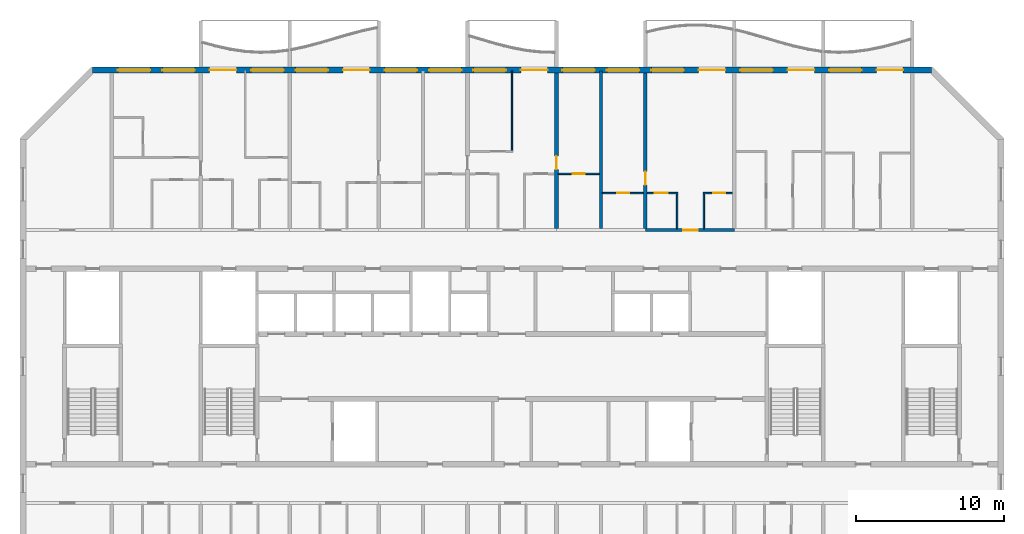
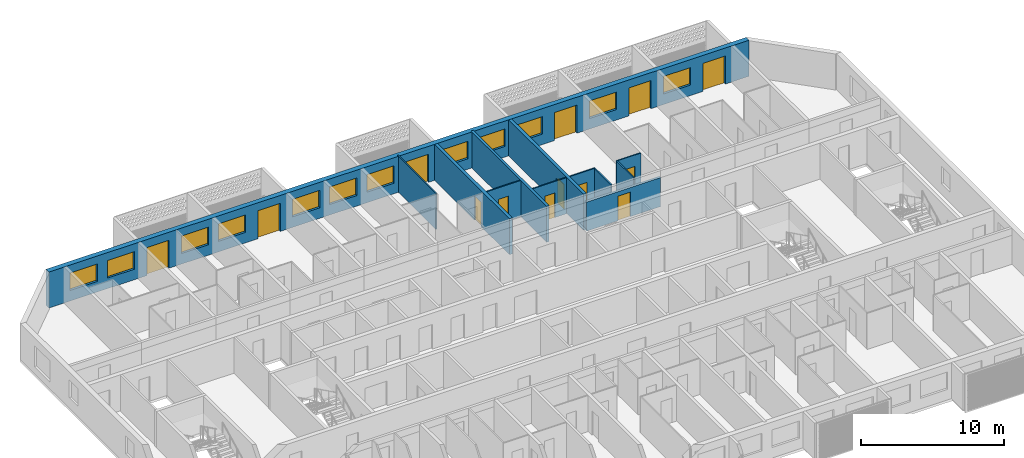
# One storey, part 9 of 26: 13 doors, 12 walls, 12 windows, 25 openings.
"""IFC4 building model written with IfcOpenShell, lengths in metres."""

import ifcopenshell
import ifcopenshell.guid

model = None  # the IFC model being written
_history = None  # IfcOwnerHistory: only IFC2X3 demands one
_inside = {}  # id of a spatial element -> (the spatial element, [elements in it])
_under = {}  # id of a project, library or spatial element -> (it, [spatial elements below it])
_declared = {}  # id of a project -> (the project, [libraries it declares])
_typed = {}  # id of a type object -> (the type object, [elements of that type])
_made_of = {}  # id of a material, layer set ... -> (it, [elements and type objects made of it])


def new_model(schema):
    """Start an empty IFC model of exactly this schema.

    Asked for "IFC4X3", IfcOpenShell would pick the latest addendum, in which some entities
    have other attributes; the version numbers below select the first issue.
    IFC2X3 requires an IfcOwnerHistory on every rooted entity: one is made here for all.
    """
    global model, _history
    if schema == "IFC4X3":
        model = ifcopenshell.file(schema_version=(4, 3, 0, 0))
    else:
        model = ifcopenshell.file(schema=schema)
    _inside.clear()
    _under.clear()
    _declared.clear()
    _typed.clear()
    _made_of.clear()
    _history = None
    if model.schema == "IFC2X3":
        org = make("IfcOrganization", Name="unknown")
        user = make(
            "IfcPersonAndOrganization",
            ThePerson=make("IfcPerson", FamilyName="unknown"),
            TheOrganization=org,
        )
        app = make(
            "IfcApplication",
            ApplicationDeveloper=org,
            Version="unknown",
            ApplicationFullName="unknown",
            ApplicationIdentifier="unknown",
        )
        _history = make(
            "IfcOwnerHistory",
            OwningUser=user,
            OwningApplication=app,
            ChangeAction="ADDED",
            CreationDate=0,
        )
    return model


def make(cls, **values):
    """One entity of the class cls with the attributes given. An attribute that is None is left unset."""
    return model.create_entity(
        cls, **{name: value for name, value in values.items() if value is not None}
    )


def rooted(cls, **values):
    """An entity with a GlobalId (a new one), such as an element, a storey or a relation."""
    return make(cls, GlobalId=ifcopenshell.guid.new(), OwnerHistory=_history, **values)


def si_unit(unit_type, name, prefix=None):
    """IfcSIUnit, for example si_unit("LENGTHUNIT", "METRE", prefix="MILLI")."""
    return make("IfcSIUnit", UnitType=unit_type, Prefix=prefix, Name=name)


def assignment(units):
    """IfcUnitAssignment: the units of a project."""
    return None if units is None else make("IfcUnitAssignment", Units=units)


def point(xyz):
    """IfcCartesianPoint."""
    return None if xyz is None else make("IfcCartesianPoint", Coordinates=xyz)


def direction(xyz):
    """IfcDirection."""
    return None if xyz is None else make("IfcDirection", DirectionRatios=xyz)


def frame(location, z_axis=None, x_axis=None):
    """IfcAxis2Placement3D, a coordinate frame: its origin and axes. An axis left out is left unset."""
    return make(
        "IfcAxis2Placement3D",
        Location=point(location),
        Axis=direction(z_axis),
        RefDirection=direction(x_axis),
    )


def frame_2d(location, x_axis=None):
    """IfcAxis2Placement2D, a coordinate frame in the plane: its origin and x axis."""
    return make(
        "IfcAxis2Placement2D", Location=point(location), RefDirection=direction(x_axis)
    )


def origin():
    """The frame at (0, 0, 0) with its axes left unset."""
    return frame((0.0, 0.0, 0.0))


def place(relative_to, where):
    """IfcLocalPlacement: puts the frame where relative to a parent placement (None: the world)."""
    return make(
        "IfcLocalPlacement", PlacementRelTo=relative_to, RelativePlacement=where
    )


def context(
    kind, dimensions, precision=None, world=None, true_north=None, identifier=None
):
    """IfcGeometricRepresentationContext, for example the 3D "Model" context."""
    return make(
        "IfcGeometricRepresentationContext",
        ContextIdentifier=identifier,
        ContextType=kind,
        CoordinateSpaceDimension=dimensions,
        Precision=precision,
        WorldCoordinateSystem=world,
        TrueNorth=true_north,
    )


def subcontext(parent, identifier, kind, view, scale=None):
    """IfcGeometricRepresentationSubContext, for example "Body" below "Model"."""
    return make(
        "IfcGeometricRepresentationSubContext",
        ContextIdentifier=identifier,
        ContextType=kind,
        ParentContext=parent,
        TargetScale=scale,
        TargetView=view,
    )


def project(units=None, contexts=None):
    """IfcProject with its units and contexts."""
    return rooted(
        "IfcProject",
        Name="project",
        RepresentationContexts=contexts,
        UnitsInContext=assignment(units),
    )


def spatial(cls, under=None, at=None, **own):
    """A site, building, storey or space (cls), placed at a placement, below another one or the project."""
    s = rooted(cls, ObjectPlacement=at, **own)
    if under is not None:
        _under.setdefault(under.id(), (under, []))[1].append(s)
    return s


def profile(cls, at=None, kind="AREA", **sizes):
    """A parametric profile (cls). Its sizes go by their IFC names, for example OverallWidth=200.0."""
    return make(cls, ProfileType=kind, Position=at, **sizes)


def rectangle(**sizes):
    """IfcRectangleProfileDef."""
    return profile("IfcRectangleProfileDef", **sizes)


def extrude(swept, where, along, depth):
    """IfcExtrudedAreaSolid: the profile swept, set in the frame where, extruded along a direction by depth."""
    return make(
        "IfcExtrudedAreaSolid",
        SweptArea=swept,
        Position=where,
        ExtrudedDirection=direction(along),
        Depth=depth,
    )


def shape(context_of_items, identifier, shape_type, items):
    """IfcShapeRepresentation: the items that make up one representation, for example the "Body"."""
    return make(
        "IfcShapeRepresentation",
        ContextOfItems=context_of_items,
        RepresentationIdentifier=identifier,
        RepresentationType=shape_type,
        Items=items,
    )


def material(Name=None, Category=None):
    """IfcMaterial."""
    return make("IfcMaterial", Name=Name, Category=Category)


def layer(
    of_material, thickness, ventilated=None, Name=None, Category=None, Priority=None
):
    """IfcMaterialLayer: one layer of a wall or slab, of a material (None: an air gap)."""
    return make(
        "IfcMaterialLayer",
        Material=of_material,
        LayerThickness=thickness,
        IsVentilated=ventilated,
        Name=Name,
        Category=Category,
        Priority=Priority,
    )


def layer_set(layers, Name=None):
    """IfcMaterialLayerSet."""
    return make("IfcMaterialLayerSet", MaterialLayers=layers, LayerSetName=Name)


def made_of(thing, what):
    """Note that an element or type object is made of a material, layer set ...; save() writes the relation."""
    if what is not None:
        _made_of.setdefault(what.id(), (what, []))[1].append(thing)
    return thing


def type_object(cls, material=None, **own):
    """A type object (cls), such as IfcWallType, which elements share."""
    return made_of(rooted(cls, **own), material)


def element(
    cls,
    number,
    at=None,
    inside=None,
    cuts=None,
    type_object=None,
    material=None,
    context=None,
    identifier="Body",
    shape_type=None,
    held_by="IfcProductDefinitionShape",
    body=None,
    shapes=None,
    **own,
):
    """One element of the class cls, such as IfcWall. Its Tag is "e" and its number.

    at: its placement. inside: the storey or other place that contains it. cuts: it is an
    opening in that element (IfcRelVoidsElement). A single representation is given by context,
    identifier, shape_type and body (its items); several are given by shapes. held_by: the class
    of the entity that holds the representations. save() writes the other relations.
    """
    e = rooted(cls, Tag="e%d" % number, ObjectPlacement=at, **own)
    if body is not None:
        shapes = [shape(context, identifier, shape_type, body)]
    if shapes is not None:
        e.Representation = make(held_by, Representations=shapes)
    if inside is not None:
        _inside.setdefault(inside.id(), (inside, []))[1].append(e)
    if cuts is not None:
        rooted(
            "IfcRelVoidsElement", RelatingBuildingElement=cuts, RelatedOpeningElement=e
        )
    if type_object is not None:
        _typed.setdefault(type_object.id(), (type_object, []))[1].append(e)
    return made_of(e, material)


def fill(opening, filler):
    """IfcRelFillsElement: the door or window that sits in an opening."""
    return rooted(
        "IfcRelFillsElement",
        RelatingOpeningElement=opening,
        RelatedBuildingElement=filler,
    )


def aggregate(whole, parts):
    """IfcRelAggregates: a whole, such as a stair, and the parts it consists of."""
    return rooted("IfcRelAggregates", RelatingObject=whole, RelatedObjects=parts)


def save(model, path):
    """Write the relations noted so far, then the file.

    IfcRelAggregates (storeys below a building ...), IfcRelContainedInSpatialStructure (elements
    in a storey), IfcRelDefinesByType, IfcRelAssociatesMaterial and IfcRelDeclares: one each for
    every whole, place, type object, material and project.
    """
    for whole, parts in _under.values():
        aggregate(whole, parts)
    for where, things in _inside.values():
        rooted(
            "IfcRelContainedInSpatialStructure",
            RelatedElements=things,
            RelatingStructure=where,
        )
    for kind, things in _typed.values():
        rooted("IfcRelDefinesByType", RelatedObjects=things, RelatingType=kind)
    for what, things in _made_of.values():
        rooted("IfcRelAssociatesMaterial", RelatedObjects=things, RelatingMaterial=what)
    for by, libraries in _declared.values():
        rooted("IfcRelDeclares", RelatingContext=by, RelatedDefinitions=libraries)
    model.write(path)


model = new_model("IFC4")

# Units and contexts
model_context = context("Model", 3, precision=1e-05, world=origin(), true_north=direction((0.0, 1.0)))
body_context = subcontext(model_context, "Body", "Model", "MODEL_VIEW")
ifc_project = project(units=[si_unit("LENGTHUNIT", "METRE"), si_unit("AREAUNIT", "SQUARE_METRE"), si_unit("VOLUMEUNIT", "CUBIC_METRE"), si_unit("PLANEANGLEUNIT", "RADIAN"), si_unit("MASSUNIT", "GRAM", prefix="KILO")], contexts=[model_context])

# Site, building, storey
site_placement = place(None, origin())
site = spatial("IfcSite", under=ifc_project, at=site_placement, CompositionType="ELEMENT")
building_placement = place(site_placement, origin())
building = spatial("IfcBuilding", under=site, at=building_placement, Name="Poui Terraces", CompositionType="ELEMENT")
storey_placement = place(building_placement, frame((0.0, 0.0, 221.39990234375)))
storey = spatial("IfcBuildingStorey", under=building, at=storey_placement, Name="L61", CompositionType="ELEMENT", Elevation=221.39990234375)

# Wall, opening, door
ifc_material_1 = material(Name="Concrete 50 MPa", Category="concrete")
ifc_layer_1 = layer(ifc_material_1, 0.199951171875)
ifc_layer_set_1 = layer_set([ifc_layer_1], Name="Concrete 50 MPa")
wall_type_1 = type_object("IfcWallType", Name="CORRIDOR WALL 200 50MPa", PredefinedType="SHEAR", material=ifc_layer_set_1)
wall_1_placement = place(storey_placement, frame((60.0, 30.39990234375, 0.0), z_axis=(0.0, 0.0, 1.0), x_axis=(1.0, 0.0, 0.0)))
wall_1 = element("IfcWall", 1, at=wall_1_placement, inside=storey, type_object=wall_type_1, Name="CORRIDOR WALL LINE E BAY 8", PredefinedType="SHEAR", context=body_context, shape_type="SweptSolid", body=[
    extrude(rectangle(XDim=6.0, YDim=0.199951171875, at=frame_2d((3.0, 0.0))), origin(), (0.0, 0.0, 1.0), 2.47998046875),
])
opening_1_placement = place(wall_1_placement, frame((2.550048828125, 0.0, 0.0)))
opening_1 = element("IfcOpeningElement", 2, at=opening_1_placement, cuts=wall_1, Name="Opening FD30S", PredefinedType="OPENING", context=body_context, shape_type="SweptSolid", body=[
    extrude(rectangle(XDim=1.0, YDim=2.10009765625, at=frame_2d((0.5, 1.050048828125))), frame((0.0, 0.10986328125, 0.0), z_axis=(0.0, -1.0, 0.0), x_axis=(1.0, 0.0, 0.0)), (0.0, 0.0, 1.0), 0.219970703125),
])
ifc_material_2 = material(Name="Steel fire door", Category="steel")
door_type_1 = type_object("IfcDoorType", Name="FLAT ENTRANCE DOOR 1000 X 2100", OperationType="NOTDEFINED", PredefinedType="DOOR", material=ifc_material_2)
door_1_placement = place(opening_1_placement, origin())
door_1 = element("IfcDoor", 3, at=door_1_placement, inside=storey, type_object=door_type_1, Name="FLAT ENTRANCE DOOR 049", OperationType="SINGLE_SWING_RIGHT", OverallHeight=2.10009765625, OverallWidth=1.0, PredefinedType="DOOR", context=body_context, shape_type="SweptSolid", body=[
    extrude(rectangle(XDim=1.0, YDim=2.10009765625, at=frame_2d((0.5, 1.050048828125))), frame((0.0, 0.02490234375, 0.0), z_axis=(0.0, -1.0, 0.0), x_axis=(1.0, 0.0, 0.0)), (0.0, 0.0, 1.0), 0.050048828125),
])
fill(opening_1, door_1)

ifc_layer_2 = layer(ifc_material_1, 0.25)
ifc_layer_set_2 = layer_set([ifc_layer_2], Name="Concrete 50 MPa")
wall_type_2 = type_object("IfcWallType", Name="CROSS WALL 250 50MPa", PredefinedType="SHEAR", material=ifc_layer_set_2)
wall_2_placement = place(storey_placement, frame((54.0, 30.5, 0.0), z_axis=(0.0, 0.0, 1.0), x_axis=(0.0, 1.0, 0.0)))
wall_2 = element("IfcWall", 4, at=wall_2_placement, inside=storey, type_object=wall_type_2, Name="CROSS WALL LINE 10 NORTH", PredefinedType="SHEAR", context=body_context, shape_type="SweptSolid", body=[
    extrude(rectangle(XDim=10.5, YDim=0.25, at=frame_2d((5.25, 0.0))), origin(), (0.0, 0.0, 1.0), 3.080078125),
])
opening_2_placement = place(wall_2_placement, frame((4.0, 0.0, 0.0)))
opening_2 = element("IfcOpeningElement", 5, at=opening_2_placement, cuts=wall_2, Name="Opening D90", PredefinedType="OPENING", context=body_context, shape_type="SweptSolid", body=[
    extrude(rectangle(XDim=0.89990234375, YDim=2.10009765625, at=frame_2d((0.449951171875, 1.050048828125))), frame((0.0, 0.135009765625, 0.0), z_axis=(0.0, -1.0, 0.0), x_axis=(1.0, 0.0, 0.0)), (0.0, 0.0, 1.0), 0.27001953125),
])
ifc_material_3 = material(Name="Solid core timber door", Category="wood")
door_type_2 = type_object("IfcDoorType", Name="INTERNAL DOOR 900 X 2100", OperationType="NOTDEFINED", PredefinedType="DOOR", material=ifc_material_3)
door_2_placement = place(opening_2_placement, frame((0.89990234375, 0.0, 0.0), z_axis=(0.0, 0.0, 1.0), x_axis=(-1.0, 0.0, 0.0)))
door_2 = element("IfcDoor", 6, at=door_2_placement, inside=storey, type_object=door_type_2, Name="INTERNAL DOOR 045", OperationType="SINGLE_SWING_RIGHT", OverallHeight=2.10009765625, OverallWidth=0.89990234375, PredefinedType="DOOR", context=body_context, shape_type="SweptSolid", body=[
    extrude(rectangle(XDim=0.89990234375, YDim=2.10009765625, at=frame_2d((0.449951171875, 1.050048828125))), frame((0.0, 0.02490234375, 0.0), z_axis=(0.0, -1.0, 0.0), x_axis=(1.0, 0.0, 0.0)), (0.0, 0.0, 1.0), 0.050048828125),
])
fill(opening_2, door_2)

wall_3_placement = place(storey_placement, frame((60.0, 30.5, 0.0), z_axis=(0.0, 0.0, 1.0), x_axis=(0.0, 1.0, 0.0)))
wall_3 = element("IfcWall", 7, at=wall_3_placement, inside=storey, type_object=wall_type_2, Name="CROSS WALL LINE 11 NORTH", PredefinedType="SHEAR", context=body_context, shape_type="SweptSolid", body=[
    extrude(rectangle(XDim=10.5, YDim=0.25, at=frame_2d((5.25, 0.0))), origin(), (0.0, 0.0, 1.0), 3.080078125),
])
opening_3_placement = place(wall_3_placement, frame((2.949951171875, 0.0, 0.0)))
opening_3 = element("IfcOpeningElement", 8, at=opening_3_placement, cuts=wall_3, Name="Opening D90", PredefinedType="OPENING", context=body_context, shape_type="SweptSolid", body=[
    extrude(rectangle(XDim=0.89990234375, YDim=2.10009765625, at=frame_2d((0.449951171875, 1.050048828125))), frame((0.0, 0.135009765625, 0.0), z_axis=(0.0, -1.0, 0.0), x_axis=(1.0, 0.0, 0.0)), (0.0, 0.0, 1.0), 0.27001953125),
])
door_3_placement = place(opening_3_placement, origin())
door_3 = element("IfcDoor", 9, at=door_3_placement, inside=storey, type_object=door_type_2, Name="INTERNAL DOOR 047", OperationType="SINGLE_SWING_LEFT", OverallHeight=2.10009765625, OverallWidth=0.89990234375, PredefinedType="DOOR", context=body_context, shape_type="SweptSolid", body=[
    extrude(rectangle(XDim=0.89990234375, YDim=2.10009765625, at=frame_2d((0.449951171875, 1.050048828125))), frame((0.0, 0.02490234375, 0.0), z_axis=(0.0, -1.0, 0.0), x_axis=(1.0, 0.0, 0.0)), (0.0, 0.0, 1.0), 0.050048828125),
])
fill(opening_3, door_3)

# Wall, openings, doors, windows
ifc_material_4 = material(Name="Precast concrete 40 MPa", Category="concrete")
ifc_layer_3 = layer(ifc_material_4, 0.39990234375)
ifc_layer_set_3 = layer_set([ifc_layer_3], Name="Precast concrete 40 MPa")
wall_type_3 = type_object("IfcWallType", Name="EXTERNAL WALL 400", PredefinedType="STANDARD", material=ifc_layer_set_3)
wall_4_placement = place(storey_placement, frame((79.317138671875, 41.199951171875, 0.0), z_axis=(0.0, 0.0, 1.0), x_axis=(-1.0, 0.0, 0.0)))
wall_4 = element("IfcWall", 10, at=wall_4_placement, inside=storey, type_object=wall_type_3, Name="EXTERNAL WALL N", PredefinedType="STANDARD", context=body_context, shape_type="SweptSolid", body=[
    extrude(rectangle(XDim=56.63427734375, YDim=0.39990234375, at=frame_2d((28.317138671875, 0.0))), origin(), (0.0, 0.0, 1.0), 3.080078125),
])
opening_4_placement = place(wall_4_placement, frame((52.71728515625, 0.0, 0.89990234375)))
opening_4 = element("IfcOpeningElement", 11, at=opening_4_placement, cuts=wall_4, Name="Opening W1", PredefinedType="OPENING", context=body_context, shape_type="SweptSolid", body=[
    extrude(rectangle(XDim=2.199951171875, YDim=1.5, at=frame_2d((1.10009765625, 0.75))), frame((0.0, 0.2099609375, 0.0), z_axis=(0.0, -1.0, 0.0), x_axis=(1.0, 0.0, 0.0)), (0.0, 0.0, 1.0), 0.419921875),
])
opening_5_placement = place(wall_4_placement, frame((49.71728515625, 0.0, 0.89990234375)))
opening_5 = element("IfcOpeningElement", 12, at=opening_5_placement, cuts=wall_4, Name="Opening W1", PredefinedType="OPENING", context=body_context, shape_type="SweptSolid", body=[
    extrude(rectangle(XDim=2.199951171875, YDim=1.5, at=frame_2d((1.10009765625, 0.75))), frame((0.0, 0.2099609375, 0.0), z_axis=(0.0, -1.0, 0.0), x_axis=(1.0, 0.0, 0.0)), (0.0, 0.0, 1.0), 0.419921875),
])
opening_6_placement = place(wall_4_placement, frame((46.917236328125, 0.0, 0.0)))
opening_6 = element("IfcOpeningElement", 13, at=opening_6_placement, cuts=wall_4, Name="Opening BD1", PredefinedType="OPENING", context=body_context, shape_type="SweptSolid", body=[
    extrude(rectangle(XDim=1.800048828125, YDim=2.39990234375, at=frame_2d((0.89990234375, 1.199951171875))), frame((0.0, 0.2099609375, 0.0), z_axis=(0.0, -1.0, 0.0), x_axis=(1.0, 0.0, 0.0)), (0.0, 0.0, 1.0), 0.419921875),
])
opening_7_placement = place(wall_4_placement, frame((43.71728515625, 0.0, 0.89990234375)))
opening_7 = element("IfcOpeningElement", 14, at=opening_7_placement, cuts=wall_4, Name="Opening W1", PredefinedType="OPENING", context=body_context, shape_type="SweptSolid", body=[
    extrude(rectangle(XDim=2.199951171875, YDim=1.5, at=frame_2d((1.10009765625, 0.75))), frame((0.0, 0.2099609375, 0.0), z_axis=(0.0, -1.0, 0.0), x_axis=(1.0, 0.0, 0.0)), (0.0, 0.0, 1.0), 0.419921875),
])
opening_8_placement = place(wall_4_placement, frame((40.71728515625, 0.0, 0.89990234375)))
opening_8 = element("IfcOpeningElement", 15, at=opening_8_placement, cuts=wall_4, Name="Opening W1", PredefinedType="OPENING", context=body_context, shape_type="SweptSolid", body=[
    extrude(rectangle(XDim=2.199951171875, YDim=1.5, at=frame_2d((1.10009765625, 0.75))), frame((0.0, 0.2099609375, 0.0), z_axis=(0.0, -1.0, 0.0), x_axis=(1.0, 0.0, 0.0)), (0.0, 0.0, 1.0), 0.419921875),
])
opening_9_placement = place(wall_4_placement, frame((37.917236328125, 0.0, 0.0)))
opening_9 = element("IfcOpeningElement", 16, at=opening_9_placement, cuts=wall_4, Name="Opening BD1", PredefinedType="OPENING", context=body_context, shape_type="SweptSolid", body=[
    extrude(rectangle(XDim=1.800048828125, YDim=2.39990234375, at=frame_2d((0.89990234375, 1.199951171875))), frame((0.0, 0.2099609375, 0.0), z_axis=(0.0, -1.0, 0.0), x_axis=(1.0, 0.0, 0.0)), (0.0, 0.0, 1.0), 0.419921875),
])
opening_10_placement = place(wall_4_placement, frame((34.71728515625, 0.0, 0.89990234375)))
opening_10 = element("IfcOpeningElement", 17, at=opening_10_placement, cuts=wall_4, Name="Opening W1", PredefinedType="OPENING", context=body_context, shape_type="SweptSolid", body=[
    extrude(rectangle(XDim=2.199951171875, YDim=1.5, at=frame_2d((1.10009765625, 0.75))), frame((0.0, 0.2099609375, 0.0), z_axis=(0.0, -1.0, 0.0), x_axis=(1.0, 0.0, 0.0)), (0.0, 0.0, 1.0), 0.419921875),
])
opening_11_placement = place(wall_4_placement, frame((31.71728515625, 0.0, 0.89990234375)))
opening_11 = element("IfcOpeningElement", 18, at=opening_11_placement, cuts=wall_4, Name="Opening W1", PredefinedType="OPENING", context=body_context, shape_type="SweptSolid", body=[
    extrude(rectangle(XDim=2.199951171875, YDim=1.5, at=frame_2d((1.10009765625, 0.75))), frame((0.0, 0.2099609375, 0.0), z_axis=(0.0, -1.0, 0.0), x_axis=(1.0, 0.0, 0.0)), (0.0, 0.0, 1.0), 0.419921875),
])
opening_12_placement = place(wall_4_placement, frame((28.71728515625, 0.0, 0.89990234375)))
opening_12 = element("IfcOpeningElement", 19, at=opening_12_placement, cuts=wall_4, Name="Opening W1", PredefinedType="OPENING", context=body_context, shape_type="SweptSolid", body=[
    extrude(rectangle(XDim=2.199951171875, YDim=1.5, at=frame_2d((1.10009765625, 0.75))), frame((0.0, 0.2099609375, 0.0), z_axis=(0.0, -1.0, 0.0), x_axis=(1.0, 0.0, 0.0)), (0.0, 0.0, 1.0), 0.419921875),
])
opening_13_placement = place(wall_4_placement, frame((25.917236328125, 0.0, 0.0)))
opening_13 = element("IfcOpeningElement", 20, at=opening_13_placement, cuts=wall_4, Name="Opening BD1", PredefinedType="OPENING", context=body_context, shape_type="SweptSolid", body=[
    extrude(rectangle(XDim=1.800048828125, YDim=2.39990234375, at=frame_2d((0.89990234375, 1.199951171875))), frame((0.0, 0.2099609375, 0.0), z_axis=(0.0, -1.0, 0.0), x_axis=(1.0, 0.0, 0.0)), (0.0, 0.0, 1.0), 0.419921875),
])
opening_14_placement = place(wall_4_placement, frame((22.71728515625, 0.0, 0.89990234375)))
opening_14 = element("IfcOpeningElement", 21, at=opening_14_placement, cuts=wall_4, Name="Opening W1", PredefinedType="OPENING", context=body_context, shape_type="SweptSolid", body=[
    extrude(rectangle(XDim=2.199951171875, YDim=1.5, at=frame_2d((1.10009765625, 0.75))), frame((0.0, 0.2099609375, 0.0), z_axis=(0.0, -1.0, 0.0), x_axis=(1.0, 0.0, 0.0)), (0.0, 0.0, 1.0), 0.419921875),
])
opening_15_placement = place(wall_4_placement, frame((19.71728515625, 0.0, 0.89990234375)))
opening_15 = element("IfcOpeningElement", 22, at=opening_15_placement, cuts=wall_4, Name="Opening W1", PredefinedType="OPENING", context=body_context, shape_type="SweptSolid", body=[
    extrude(rectangle(XDim=2.199951171875, YDim=1.5, at=frame_2d((1.10009765625, 0.75))), frame((0.0, 0.2099609375, 0.0), z_axis=(0.0, -1.0, 0.0), x_axis=(1.0, 0.0, 0.0)), (0.0, 0.0, 1.0), 0.419921875),
])
opening_16_placement = place(wall_4_placement, frame((16.71728515625, 0.0, 0.89990234375)))
opening_16 = element("IfcOpeningElement", 23, at=opening_16_placement, cuts=wall_4, Name="Opening W1", PredefinedType="OPENING", context=body_context, shape_type="SweptSolid", body=[
    extrude(rectangle(XDim=2.199951171875, YDim=1.5, at=frame_2d((1.10009765625, 0.75))), frame((0.0, 0.2099609375, 0.0), z_axis=(0.0, -1.0, 0.0), x_axis=(1.0, 0.0, 0.0)), (0.0, 0.0, 1.0), 0.419921875),
])
opening_17_placement = place(wall_4_placement, frame((13.917236328125, 0.0, 0.0)))
opening_17 = element("IfcOpeningElement", 24, at=opening_17_placement, cuts=wall_4, Name="Opening BD1", PredefinedType="OPENING", context=body_context, shape_type="SweptSolid", body=[
    extrude(rectangle(XDim=1.800048828125, YDim=2.39990234375, at=frame_2d((0.89990234375, 1.199951171875))), frame((0.0, 0.2099609375, 0.0), z_axis=(0.0, -1.0, 0.0), x_axis=(1.0, 0.0, 0.0)), (0.0, 0.0, 1.0), 0.419921875),
])
opening_18_placement = place(wall_4_placement, frame((10.71728515625, 0.0, 0.89990234375)))
opening_18 = element("IfcOpeningElement", 25, at=opening_18_placement, cuts=wall_4, Name="Opening W1", PredefinedType="OPENING", context=body_context, shape_type="SweptSolid", body=[
    extrude(rectangle(XDim=2.199951171875, YDim=1.5, at=frame_2d((1.10009765625, 0.75))), frame((0.0, 0.2099609375, 0.0), z_axis=(0.0, -1.0, 0.0), x_axis=(1.0, 0.0, 0.0)), (0.0, 0.0, 1.0), 0.419921875),
])
opening_19_placement = place(wall_4_placement, frame((7.917236328125, 0.0, 0.0)))
opening_19 = element("IfcOpeningElement", 26, at=opening_19_placement, cuts=wall_4, Name="Opening BD1", PredefinedType="OPENING", context=body_context, shape_type="SweptSolid", body=[
    extrude(rectangle(XDim=1.800048828125, YDim=2.39990234375, at=frame_2d((0.89990234375, 1.199951171875))), frame((0.0, 0.2099609375, 0.0), z_axis=(0.0, -1.0, 0.0), x_axis=(1.0, 0.0, 0.0)), (0.0, 0.0, 1.0), 0.419921875),
])
opening_20_placement = place(wall_4_placement, frame((4.71728515625, 0.0, 0.89990234375)))
opening_20 = element("IfcOpeningElement", 27, at=opening_20_placement, cuts=wall_4, Name="Opening W1", PredefinedType="OPENING", context=body_context, shape_type="SweptSolid", body=[
    extrude(rectangle(XDim=2.199951171875, YDim=1.5, at=frame_2d((1.10009765625, 0.75))), frame((0.0, 0.2099609375, 0.0), z_axis=(0.0, -1.0, 0.0), x_axis=(1.0, 0.0, 0.0)), (0.0, 0.0, 1.0), 0.419921875),
])
opening_21_placement = place(wall_4_placement, frame((1.917236328125, 0.0, 0.0)))
opening_21 = element("IfcOpeningElement", 28, at=opening_21_placement, cuts=wall_4, Name="Opening BD1", PredefinedType="OPENING", context=body_context, shape_type="SweptSolid", body=[
    extrude(rectangle(XDim=1.800048828125, YDim=2.39990234375, at=frame_2d((0.89990234375, 1.199951171875))), frame((0.0, 0.2099609375, 0.0), z_axis=(0.0, -1.0, 0.0), x_axis=(1.0, 0.0, 0.0)), (0.0, 0.0, 1.0), 0.419921875),
])
ifc_material_5 = material(Name="Clear glass in aluminium frame", Category="aluminium")
door_type_3 = type_object("IfcDoorType", Name="BALCONY DOOR 1800X2400", OperationType="DOUBLE_DOOR_SLIDING", PredefinedType="DOOR", material=ifc_material_5)
door_4_placement = place(opening_6_placement, origin())
door_4 = element("IfcDoor", 29, at=door_4_placement, inside=storey, type_object=door_type_3, Name="BD1 BALCONY DOOR", OperationType="DOUBLE_DOOR_SLIDING", OverallHeight=2.39990234375, OverallWidth=1.800048828125, PredefinedType="DOOR", context=body_context, shape_type="SweptSolid", body=[
    extrude(rectangle(XDim=1.800048828125, YDim=2.39990234375, at=frame_2d((0.89990234375, 1.199951171875))), frame((0.0, 0.02490234375, 0.0), z_axis=(0.0, -1.0, 0.0), x_axis=(1.0, 0.0, 0.0)), (0.0, 0.0, 1.0), 0.050048828125),
])
fill(opening_6, door_4)
door_5_placement = place(opening_9_placement, origin())
door_5 = element("IfcDoor", 30, at=door_5_placement, inside=storey, type_object=door_type_3, Name="BD1 BALCONY DOOR", OperationType="DOUBLE_DOOR_SLIDING", OverallHeight=2.39990234375, OverallWidth=1.800048828125, PredefinedType="DOOR", context=body_context, shape_type="SweptSolid", body=[
    extrude(rectangle(XDim=1.800048828125, YDim=2.39990234375, at=frame_2d((0.89990234375, 1.199951171875))), frame((0.0, 0.02490234375, 0.0), z_axis=(0.0, -1.0, 0.0), x_axis=(1.0, 0.0, 0.0)), (0.0, 0.0, 1.0), 0.050048828125),
])
fill(opening_9, door_5)
door_6_placement = place(opening_13_placement, origin())
door_6 = element("IfcDoor", 31, at=door_6_placement, inside=storey, type_object=door_type_3, Name="BD1 BALCONY DOOR", OperationType="DOUBLE_DOOR_SLIDING", OverallHeight=2.39990234375, OverallWidth=1.800048828125, PredefinedType="DOOR", context=body_context, shape_type="SweptSolid", body=[
    extrude(rectangle(XDim=1.800048828125, YDim=2.39990234375, at=frame_2d((0.89990234375, 1.199951171875))), frame((0.0, 0.02490234375, 0.0), z_axis=(0.0, -1.0, 0.0), x_axis=(1.0, 0.0, 0.0)), (0.0, 0.0, 1.0), 0.050048828125),
])
fill(opening_13, door_6)
door_7_placement = place(opening_17_placement, origin())
door_7 = element("IfcDoor", 32, at=door_7_placement, inside=storey, type_object=door_type_3, Name="BD1 BALCONY DOOR", OperationType="DOUBLE_DOOR_SLIDING", OverallHeight=2.39990234375, OverallWidth=1.800048828125, PredefinedType="DOOR", context=body_context, shape_type="SweptSolid", body=[
    extrude(rectangle(XDim=1.800048828125, YDim=2.39990234375, at=frame_2d((0.89990234375, 1.199951171875))), frame((0.0, 0.02490234375, 0.0), z_axis=(0.0, -1.0, 0.0), x_axis=(1.0, 0.0, 0.0)), (0.0, 0.0, 1.0), 0.050048828125),
])
fill(opening_17, door_7)
door_8_placement = place(opening_19_placement, origin())
door_8 = element("IfcDoor", 33, at=door_8_placement, inside=storey, type_object=door_type_3, Name="BD1 BALCONY DOOR", OperationType="DOUBLE_DOOR_SLIDING", OverallHeight=2.39990234375, OverallWidth=1.800048828125, PredefinedType="DOOR", context=body_context, shape_type="SweptSolid", body=[
    extrude(rectangle(XDim=1.800048828125, YDim=2.39990234375, at=frame_2d((0.89990234375, 1.199951171875))), frame((0.0, 0.02490234375, 0.0), z_axis=(0.0, -1.0, 0.0), x_axis=(1.0, 0.0, 0.0)), (0.0, 0.0, 1.0), 0.050048828125),
])
fill(opening_19, door_8)
door_9_placement = place(opening_21_placement, origin())
door_9 = element("IfcDoor", 34, at=door_9_placement, inside=storey, type_object=door_type_3, Name="BD1 BALCONY DOOR", OperationType="DOUBLE_DOOR_SLIDING", OverallHeight=2.39990234375, OverallWidth=1.800048828125, PredefinedType="DOOR", context=body_context, shape_type="SweptSolid", body=[
    extrude(rectangle(XDim=1.800048828125, YDim=2.39990234375, at=frame_2d((0.89990234375, 1.199951171875))), frame((0.0, 0.02490234375, 0.0), z_axis=(0.0, -1.0, 0.0), x_axis=(1.0, 0.0, 0.0)), (0.0, 0.0, 1.0), 0.050048828125),
])
fill(opening_21, door_9)
window_type = type_object("IfcWindowType", Name="WINDOW 2200X1500", PartitioningType="DOUBLE_PANEL_HORIZONTAL", PredefinedType="WINDOW", material=ifc_material_5)
window_1_placement = place(opening_4_placement, origin())
window_1 = element("IfcWindow", 35, at=window_1_placement, inside=storey, type_object=window_type, Name="W1 WINDOW", OverallHeight=1.5, OverallWidth=2.199951171875, PartitioningType="DOUBLE_PANEL_HORIZONTAL", PredefinedType="WINDOW", context=body_context, shape_type="SweptSolid", body=[
    extrude(rectangle(XDim=2.199951171875, YDim=1.5, at=frame_2d((1.10009765625, 0.75))), frame((0.0, 0.030029296875, 0.0), z_axis=(0.0, -1.0, 0.0), x_axis=(1.0, 0.0, 0.0)), (0.0, 0.0, 1.0), 0.06005859375),
])
fill(opening_4, window_1)
window_2_placement = place(opening_5_placement, origin())
window_2 = element("IfcWindow", 36, at=window_2_placement, inside=storey, type_object=window_type, Name="W1 WINDOW", OverallHeight=1.5, OverallWidth=2.199951171875, PartitioningType="DOUBLE_PANEL_HORIZONTAL", PredefinedType="WINDOW", context=body_context, shape_type="SweptSolid", body=[
    extrude(rectangle(XDim=2.199951171875, YDim=1.5, at=frame_2d((1.10009765625, 0.75))), frame((0.0, 0.030029296875, 0.0), z_axis=(0.0, -1.0, 0.0), x_axis=(1.0, 0.0, 0.0)), (0.0, 0.0, 1.0), 0.06005859375),
])
fill(opening_5, window_2)
window_3_placement = place(opening_7_placement, origin())
window_3 = element("IfcWindow", 37, at=window_3_placement, inside=storey, type_object=window_type, Name="W1 WINDOW", OverallHeight=1.5, OverallWidth=2.199951171875, PartitioningType="DOUBLE_PANEL_HORIZONTAL", PredefinedType="WINDOW", context=body_context, shape_type="SweptSolid", body=[
    extrude(rectangle(XDim=2.199951171875, YDim=1.5, at=frame_2d((1.10009765625, 0.75))), frame((0.0, 0.030029296875, 0.0), z_axis=(0.0, -1.0, 0.0), x_axis=(1.0, 0.0, 0.0)), (0.0, 0.0, 1.0), 0.06005859375),
])
fill(opening_7, window_3)
window_4_placement = place(opening_8_placement, origin())
window_4 = element("IfcWindow", 38, at=window_4_placement, inside=storey, type_object=window_type, Name="W1 WINDOW", OverallHeight=1.5, OverallWidth=2.199951171875, PartitioningType="DOUBLE_PANEL_HORIZONTAL", PredefinedType="WINDOW", context=body_context, shape_type="SweptSolid", body=[
    extrude(rectangle(XDim=2.199951171875, YDim=1.5, at=frame_2d((1.10009765625, 0.75))), frame((0.0, 0.030029296875, 0.0), z_axis=(0.0, -1.0, 0.0), x_axis=(1.0, 0.0, 0.0)), (0.0, 0.0, 1.0), 0.06005859375),
])
fill(opening_8, window_4)
window_5_placement = place(opening_10_placement, origin())
window_5 = element("IfcWindow", 39, at=window_5_placement, inside=storey, type_object=window_type, Name="W1 WINDOW", OverallHeight=1.5, OverallWidth=2.199951171875, PartitioningType="DOUBLE_PANEL_HORIZONTAL", PredefinedType="WINDOW", context=body_context, shape_type="SweptSolid", body=[
    extrude(rectangle(XDim=2.199951171875, YDim=1.5, at=frame_2d((1.10009765625, 0.75))), frame((0.0, 0.030029296875, 0.0), z_axis=(0.0, -1.0, 0.0), x_axis=(1.0, 0.0, 0.0)), (0.0, 0.0, 1.0), 0.06005859375),
])
fill(opening_10, window_5)
window_6_placement = place(opening_11_placement, origin())
window_6 = element("IfcWindow", 40, at=window_6_placement, inside=storey, type_object=window_type, Name="W1 WINDOW", OverallHeight=1.5, OverallWidth=2.199951171875, PartitioningType="DOUBLE_PANEL_HORIZONTAL", PredefinedType="WINDOW", context=body_context, shape_type="SweptSolid", body=[
    extrude(rectangle(XDim=2.199951171875, YDim=1.5, at=frame_2d((1.10009765625, 0.75))), frame((0.0, 0.030029296875, 0.0), z_axis=(0.0, -1.0, 0.0), x_axis=(1.0, 0.0, 0.0)), (0.0, 0.0, 1.0), 0.06005859375),
])
fill(opening_11, window_6)
window_7_placement = place(opening_12_placement, origin())
window_7 = element("IfcWindow", 41, at=window_7_placement, inside=storey, type_object=window_type, Name="W1 WINDOW", OverallHeight=1.5, OverallWidth=2.199951171875, PartitioningType="DOUBLE_PANEL_HORIZONTAL", PredefinedType="WINDOW", context=body_context, shape_type="SweptSolid", body=[
    extrude(rectangle(XDim=2.199951171875, YDim=1.5, at=frame_2d((1.10009765625, 0.75))), frame((0.0, 0.030029296875, 0.0), z_axis=(0.0, -1.0, 0.0), x_axis=(1.0, 0.0, 0.0)), (0.0, 0.0, 1.0), 0.06005859375),
])
fill(opening_12, window_7)
window_8_placement = place(opening_14_placement, origin())
window_8 = element("IfcWindow", 42, at=window_8_placement, inside=storey, type_object=window_type, Name="W1 WINDOW", OverallHeight=1.5, OverallWidth=2.199951171875, PartitioningType="DOUBLE_PANEL_HORIZONTAL", PredefinedType="WINDOW", context=body_context, shape_type="SweptSolid", body=[
    extrude(rectangle(XDim=2.199951171875, YDim=1.5, at=frame_2d((1.10009765625, 0.75))), frame((0.0, 0.030029296875, 0.0), z_axis=(0.0, -1.0, 0.0), x_axis=(1.0, 0.0, 0.0)), (0.0, 0.0, 1.0), 0.06005859375),
])
fill(opening_14, window_8)
window_9_placement = place(opening_15_placement, origin())
window_9 = element("IfcWindow", 43, at=window_9_placement, inside=storey, type_object=window_type, Name="W1 WINDOW", OverallHeight=1.5, OverallWidth=2.199951171875, PartitioningType="DOUBLE_PANEL_HORIZONTAL", PredefinedType="WINDOW", context=body_context, shape_type="SweptSolid", body=[
    extrude(rectangle(XDim=2.199951171875, YDim=1.5, at=frame_2d((1.10009765625, 0.75))), frame((0.0, 0.030029296875, 0.0), z_axis=(0.0, -1.0, 0.0), x_axis=(1.0, 0.0, 0.0)), (0.0, 0.0, 1.0), 0.06005859375),
])
fill(opening_15, window_9)
window_10_placement = place(opening_16_placement, origin())
window_10 = element("IfcWindow", 44, at=window_10_placement, inside=storey, type_object=window_type, Name="W1 WINDOW", OverallHeight=1.5, OverallWidth=2.199951171875, PartitioningType="DOUBLE_PANEL_HORIZONTAL", PredefinedType="WINDOW", context=body_context, shape_type="SweptSolid", body=[
    extrude(rectangle(XDim=2.199951171875, YDim=1.5, at=frame_2d((1.10009765625, 0.75))), frame((0.0, 0.030029296875, 0.0), z_axis=(0.0, -1.0, 0.0), x_axis=(1.0, 0.0, 0.0)), (0.0, 0.0, 1.0), 0.06005859375),
])
fill(opening_16, window_10)
window_11_placement = place(opening_18_placement, origin())
window_11 = element("IfcWindow", 45, at=window_11_placement, inside=storey, type_object=window_type, Name="W1 WINDOW", OverallHeight=1.5, OverallWidth=2.199951171875, PartitioningType="DOUBLE_PANEL_HORIZONTAL", PredefinedType="WINDOW", context=body_context, shape_type="SweptSolid", body=[
    extrude(rectangle(XDim=2.199951171875, YDim=1.5, at=frame_2d((1.10009765625, 0.75))), frame((0.0, 0.030029296875, 0.0), z_axis=(0.0, -1.0, 0.0), x_axis=(1.0, 0.0, 0.0)), (0.0, 0.0, 1.0), 0.06005859375),
])
fill(opening_18, window_11)
window_12_placement = place(opening_20_placement, origin())
window_12 = element("IfcWindow", 46, at=window_12_placement, inside=storey, type_object=window_type, Name="W1 WINDOW", OverallHeight=1.5, OverallWidth=2.199951171875, PartitioningType="DOUBLE_PANEL_HORIZONTAL", PredefinedType="WINDOW", context=body_context, shape_type="SweptSolid", body=[
    extrude(rectangle(XDim=2.199951171875, YDim=1.5, at=frame_2d((1.10009765625, 0.75))), frame((0.0, 0.030029296875, 0.0), z_axis=(0.0, -1.0, 0.0), x_axis=(1.0, 0.0, 0.0)), (0.0, 0.0, 1.0), 0.06005859375),
])
fill(opening_20, window_12)

# Wall, opening, door
ifc_material_6 = material(Name="Plasterboard partition")
ifc_layer_4 = layer(ifc_material_6, 0.10009765625)
ifc_layer_set_4 = layer_set([ifc_layer_4], Name="Plasterboard partition")
wall_type_4 = type_object("IfcWallType", Name="FLAT PARTITION 100", PredefinedType="PARTITIONING", material=ifc_layer_set_4)
wall_5_placement = place(storey_placement, frame((57.10009765625, 32.89990234375, 0.0), z_axis=(0.0, 0.0, 1.0), x_axis=(1.0, 0.0, 0.0)))
wall_5 = element("IfcWall", 47, at=wall_5_placement, inside=storey, type_object=wall_type_4, Name="FLAT PARTITION 100", PredefinedType="PARTITIONING", context=body_context, shape_type="SweptSolid", body=[
    extrude(rectangle(XDim=2.764892578125, YDim=0.10009765625, at=frame_2d((1.38232421875, 0.0))), origin(), (0.0, 0.0, 1.0), 3.080078125),
])
opening_22_placement = place(wall_5_placement, frame((1.0, 0.0, 0.0)))
opening_22 = element("IfcOpeningElement", 48, at=opening_22_placement, cuts=wall_5, Name="Opening D80", PredefinedType="OPENING", context=body_context, shape_type="SweptSolid", body=[
    extrude(rectangle(XDim=0.800048828125, YDim=2.10009765625, at=frame_2d((0.39990234375, 1.050048828125))), frame((0.0, 0.06005859375, 0.0), z_axis=(0.0, -1.0, 0.0), x_axis=(1.0, 0.0, 0.0)), (0.0, 0.0, 1.0), 0.1201171875),
])
door_type_4 = type_object("IfcDoorType", Name="BATHROOM, LAUNDRY AND STORE DOOR 800 X 2100", OperationType="NOTDEFINED", PredefinedType="DOOR", material=ifc_material_3)
door_10_placement = place(opening_22_placement, frame((0.800048828125, 0.0, 0.0), z_axis=(0.0, 0.0, 1.0), x_axis=(-1.0, 0.0, 0.0)))
door_10 = element("IfcDoor", 49, at=door_10_placement, inside=storey, type_object=door_type_4, Name="BATHROOM, LAUNDRY AND STORE DOOR 046", OperationType="SINGLE_SWING_RIGHT", OverallHeight=2.10009765625, OverallWidth=0.800048828125, PredefinedType="DOOR", context=body_context, shape_type="SweptSolid", body=[
    extrude(rectangle(XDim=0.800048828125, YDim=2.10009765625, at=frame_2d((0.39990234375, 1.050048828125))), frame((0.0, 0.02490234375, 0.0), z_axis=(0.0, -1.0, 0.0), x_axis=(1.0, 0.0, 0.0)), (0.0, 0.0, 1.0), 0.050048828125),
])
fill(opening_22, door_10)

wall_6_placement = place(storey_placement, frame((60.135009765625, 32.89990234375, 0.0), z_axis=(0.0, 0.0, 1.0), x_axis=(1.0, 0.0, 0.0)))
wall_6 = element("IfcWall", 50, at=wall_6_placement, inside=storey, type_object=wall_type_4, Name="FLAT PARTITION 100", PredefinedType="PARTITIONING", context=body_context, shape_type="SweptSolid", body=[
    extrude(rectangle(XDim=2.06494140625, YDim=0.10009765625, at=frame_2d((1.032470703125, 0.0))), origin(), (0.0, 0.0, 1.0), 3.080078125),
])
opening_23_placement = place(wall_6_placement, frame((0.489990234375, 0.0, 0.0)))
opening_23 = element("IfcOpeningElement", 51, at=opening_23_placement, cuts=wall_6, Name="Opening D90", PredefinedType="OPENING", context=body_context, shape_type="SweptSolid", body=[
    extrude(rectangle(XDim=0.89990234375, YDim=2.10009765625, at=frame_2d((0.449951171875, 1.050048828125))), frame((0.0, 0.06005859375, 0.0), z_axis=(0.0, -1.0, 0.0), x_axis=(1.0, 0.0, 0.0)), (0.0, 0.0, 1.0), 0.1201171875),
])
door_11_placement = place(opening_23_placement, frame((0.89990234375, 0.0, 0.0), z_axis=(0.0, 0.0, 1.0), x_axis=(-1.0, 0.0, 0.0)))
door_11 = element("IfcDoor", 52, at=door_11_placement, inside=storey, type_object=door_type_2, Name="INTERNAL DOOR 048", OperationType="SINGLE_SWING_LEFT", OverallHeight=2.10009765625, OverallWidth=0.89990234375, PredefinedType="DOOR", context=body_context, shape_type="SweptSolid", body=[
    extrude(rectangle(XDim=0.89990234375, YDim=2.10009765625, at=frame_2d((0.449951171875, 1.050048828125))), frame((0.0, 0.02490234375, 0.0), z_axis=(0.0, -1.0, 0.0), x_axis=(1.0, 0.0, 0.0)), (0.0, 0.0, 1.0), 0.050048828125),
])
fill(opening_23, door_11)

wall_7_placement = place(storey_placement, frame((63.89990234375, 32.89990234375, 0.0), z_axis=(0.0, 0.0, 1.0), x_axis=(1.0, 0.0, 0.0)))
wall_7 = element("IfcWall", 53, at=wall_7_placement, inside=storey, type_object=wall_type_4, Name="FLAT PARTITION 100", PredefinedType="PARTITIONING", context=body_context, shape_type="SweptSolid", body=[
    extrude(rectangle(XDim=1.965087890625, YDim=0.10009765625, at=frame_2d((0.982421875, 0.0))), origin(), (0.0, 0.0, 1.0), 3.080078125),
])
opening_24_placement = place(wall_7_placement, frame((0.675048828125, 0.0, 0.0)))
opening_24 = element("IfcOpeningElement", 54, at=opening_24_placement, cuts=wall_7, Name="Opening D80", PredefinedType="OPENING", context=body_context, shape_type="SweptSolid", body=[
    extrude(rectangle(XDim=0.800048828125, YDim=2.10009765625, at=frame_2d((0.39990234375, 1.050048828125))), frame((0.0, 0.06005859375, 0.0), z_axis=(0.0, -1.0, 0.0), x_axis=(1.0, 0.0, 0.0)), (0.0, 0.0, 1.0), 0.1201171875),
])
door_12_placement = place(opening_24_placement, frame((0.800048828125, 0.0, 0.0), z_axis=(0.0, 0.0, 1.0), x_axis=(-1.0, 0.0, 0.0)))
door_12 = element("IfcDoor", 55, at=door_12_placement, inside=storey, type_object=door_type_4, Name="BATHROOM, LAUNDRY AND STORE DOOR 050", OperationType="SINGLE_SWING_RIGHT", OverallHeight=2.10009765625, OverallWidth=0.800048828125, PredefinedType="DOOR", context=body_context, shape_type="SweptSolid", body=[
    extrude(rectangle(XDim=0.800048828125, YDim=2.10009765625, at=frame_2d((0.39990234375, 1.050048828125))), frame((0.0, 0.02490234375, 0.0), z_axis=(0.0, -1.0, 0.0), x_axis=(1.0, 0.0, 0.0)), (0.0, 0.0, 1.0), 0.050048828125),
])
fill(opening_24, door_12)

wall_8_placement = place(storey_placement, frame((54.135009765625, 34.199951171875, 0.0), z_axis=(0.0, 0.0, 1.0), x_axis=(1.0, 0.0, 0.0)))
wall_8 = element("IfcWall", 56, at=wall_8_placement, inside=storey, type_object=wall_type_4, Name="FLAT PARTITION 100", PredefinedType="PARTITIONING", context=body_context, shape_type="SweptSolid", body=[
    extrude(rectangle(XDim=2.764892578125, YDim=0.10009765625, at=frame_2d((1.38232421875, 0.0))), origin(), (0.0, 0.0, 1.0), 3.080078125),
])
opening_25_placement = place(wall_8_placement, frame((0.965087890625, 0.0, 0.0)))
opening_25 = element("IfcOpeningElement", 57, at=opening_25_placement, cuts=wall_8, Name="Opening D80", PredefinedType="OPENING", context=body_context, shape_type="SweptSolid", body=[
    extrude(rectangle(XDim=0.800048828125, YDim=2.10009765625, at=frame_2d((0.39990234375, 1.050048828125))), frame((0.0, 0.06005859375, 0.0), z_axis=(0.0, -1.0, 0.0), x_axis=(1.0, 0.0, 0.0)), (0.0, 0.0, 1.0), 0.1201171875),
])
door_13_placement = place(opening_25_placement, frame((0.800048828125, 0.0, 0.0), z_axis=(0.0, 0.0, 1.0), x_axis=(-1.0, 0.0, 0.0)))
door_13 = element("IfcDoor", 58, at=door_13_placement, inside=storey, type_object=door_type_4, Name="BATHROOM, LAUNDRY AND STORE DOOR 039", OperationType="SINGLE_SWING_LEFT", OverallHeight=2.10009765625, OverallWidth=0.800048828125, PredefinedType="DOOR", context=body_context, shape_type="SweptSolid", body=[
    extrude(rectangle(XDim=0.800048828125, YDim=2.10009765625, at=frame_2d((0.39990234375, 1.050048828125))), frame((0.0, 0.02490234375, 0.0), z_axis=(0.0, -1.0, 0.0), x_axis=(1.0, 0.0, 0.0)), (0.0, 0.0, 1.0), 0.050048828125),
])
fill(opening_25, door_13)

# Walls
wall_9_placement = place(storey_placement, frame((51.0, 35.75, 0.0), z_axis=(0.0, 0.0, 1.0), x_axis=(0.0, 1.0, 0.0)))
element("IfcWall", 59, at=wall_9_placement, inside=storey, type_object=wall_type_4, Name="FLAT PARTITION 100", PredefinedType="PARTITIONING", context=body_context, shape_type="SweptSolid", body=[
    extrude(rectangle(XDim=5.389892578125, YDim=0.10009765625, at=frame_2d((2.69482421875, 0.0))), origin(), (0.0, 0.0, 1.0), 3.080078125),
])
for number, where, z_axis, x_axis, name in (
    (60, (62.14990234375, 30.510009765625, 0.0), (0.0, 0.0, 1.0), (0.0, 1.0, 0.0), "FLAT PARTITION 100"),
    (61, (63.949951171875, 30.510009765625, 0.0), (0.0, 0.0, 1.0), (0.0, 1.0, 0.0), "FLAT PARTITION 100"),
):
    element("IfcWall", number, at=place(storey_placement, frame(where, z_axis=z_axis, x_axis=x_axis)), inside=storey, type_object=wall_type_4, Name=name, PredefinedType="PARTITIONING", context=body_context, shape_type="SweptSolid", body=[
        extrude(rectangle(XDim=2.340087890625, YDim=0.10009765625, at=frame_2d((1.169921875, 0.0))), origin(), (0.0, 0.0, 1.0), 3.080078125),
    ])
ifc_material_7 = material(Name="Fire-rated masonry wall", Category="masonry")
ifc_layer_5 = layer(ifc_material_7, 0.199951171875)
ifc_layer_set_5 = layer_set([ifc_layer_5], Name="Fire-rated masonry wall")
wall_type_5 = type_object("IfcWallType", Name="FLAT PARTY WALL 200", PredefinedType="PARTITIONING", material=ifc_layer_set_5)
wall_10_placement = place(storey_placement, frame((57.0, 30.510009765625, 0.0), z_axis=(0.0, 0.0, 1.0), x_axis=(0.0, 1.0, 0.0)))
element("IfcWall", 62, at=wall_10_placement, inside=storey, type_object=wall_type_5, Name="FLAT PARTY WALL 200", PredefinedType="PARTITIONING", context=body_context, shape_type="SweptSolid", body=[
    extrude(rectangle(XDim=10.6298828125, YDim=0.199951171875, at=frame_2d((5.31494140625, 0.0))), origin(), (0.0, 0.0, 1.0), 3.080078125),
])

save(model, "model.ifc")
